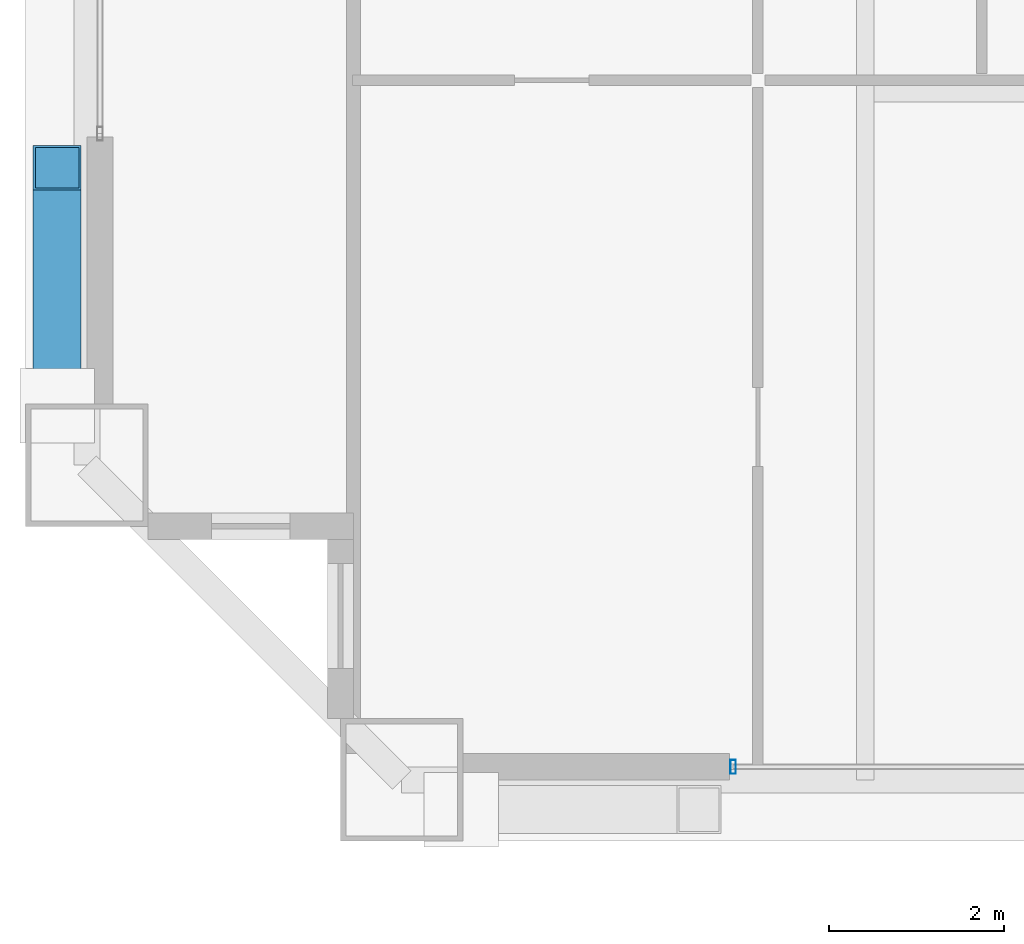
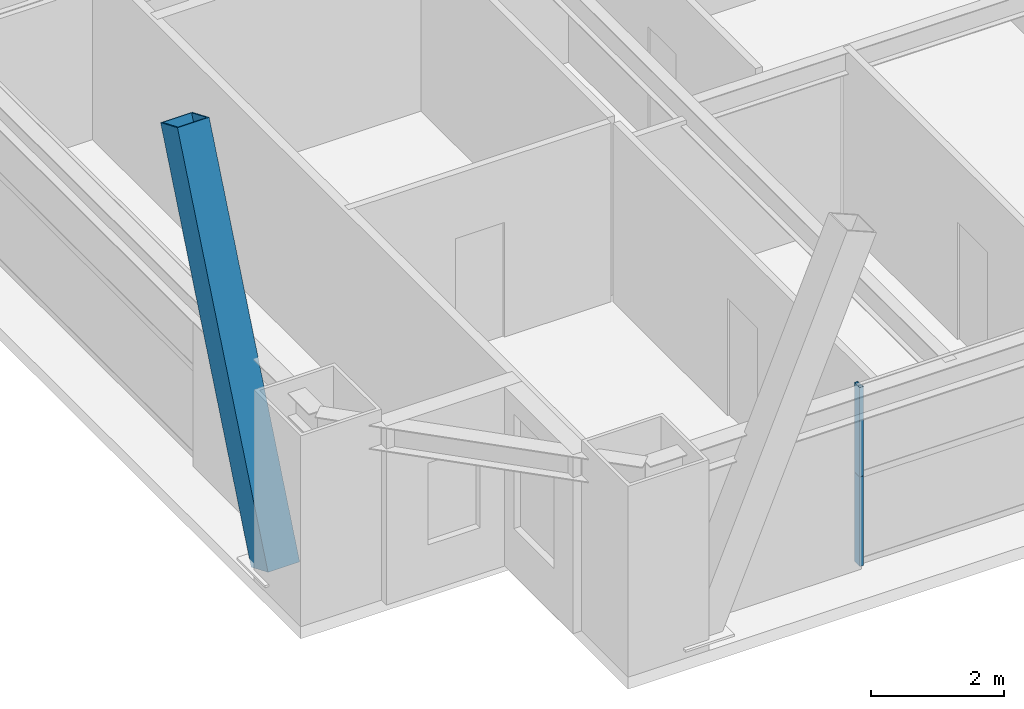
# One storey, part 4 of 45: 3 members, 1 element without a shape of its own.
"""IFC4 building model written with IfcOpenShell, lengths in metres."""

import ifcopenshell
import ifcopenshell.guid

model = None  # the IFC model being written
_history = None  # IfcOwnerHistory: only IFC2X3 demands one
_inside = {}  # id of a spatial element -> (the spatial element, [elements in it])
_under = {}  # id of a project, library or spatial element -> (it, [spatial elements below it])
_declared = {}  # id of a project -> (the project, [libraries it declares])
_typed = {}  # id of a type object -> (the type object, [elements of that type])
_made_of = {}  # id of a material, layer set ... -> (it, [elements and type objects made of it])


def new_model(schema):
    """Start an empty IFC model of exactly this schema.

    Asked for "IFC4X3", IfcOpenShell would pick the latest addendum, in which some entities
    have other attributes; the version numbers below select the first issue.
    IFC2X3 requires an IfcOwnerHistory on every rooted entity: one is made here for all.
    """
    global model, _history
    if schema == "IFC4X3":
        model = ifcopenshell.file(schema_version=(4, 3, 0, 0))
    else:
        model = ifcopenshell.file(schema=schema)
    _inside.clear()
    _under.clear()
    _declared.clear()
    _typed.clear()
    _made_of.clear()
    _history = None
    if model.schema == "IFC2X3":
        org = make("IfcOrganization", Name="unknown")
        user = make(
            "IfcPersonAndOrganization",
            ThePerson=make("IfcPerson", FamilyName="unknown"),
            TheOrganization=org,
        )
        app = make(
            "IfcApplication",
            ApplicationDeveloper=org,
            Version="unknown",
            ApplicationFullName="unknown",
            ApplicationIdentifier="unknown",
        )
        _history = make(
            "IfcOwnerHistory",
            OwningUser=user,
            OwningApplication=app,
            ChangeAction="ADDED",
            CreationDate=0,
        )
    return model


def make(cls, **values):
    """One entity of the class cls with the attributes given. An attribute that is None is left unset."""
    return model.create_entity(
        cls, **{name: value for name, value in values.items() if value is not None}
    )


def rooted(cls, **values):
    """An entity with a GlobalId (a new one), such as an element, a storey or a relation."""
    return make(cls, GlobalId=ifcopenshell.guid.new(), OwnerHistory=_history, **values)


def si_unit(unit_type, name, prefix=None):
    """IfcSIUnit, for example si_unit("LENGTHUNIT", "METRE", prefix="MILLI")."""
    return make("IfcSIUnit", UnitType=unit_type, Prefix=prefix, Name=name)


def assignment(units):
    """IfcUnitAssignment: the units of a project."""
    return None if units is None else make("IfcUnitAssignment", Units=units)


def point(xyz):
    """IfcCartesianPoint."""
    return None if xyz is None else make("IfcCartesianPoint", Coordinates=xyz)


def direction(xyz):
    """IfcDirection."""
    return None if xyz is None else make("IfcDirection", DirectionRatios=xyz)


def frame(location, z_axis=None, x_axis=None):
    """IfcAxis2Placement3D, a coordinate frame: its origin and axes. An axis left out is left unset."""
    return make(
        "IfcAxis2Placement3D",
        Location=point(location),
        Axis=direction(z_axis),
        RefDirection=direction(x_axis),
    )


def frame_2d(location, x_axis=None):
    """IfcAxis2Placement2D, a coordinate frame in the plane: its origin and x axis."""
    return make(
        "IfcAxis2Placement2D", Location=point(location), RefDirection=direction(x_axis)
    )


def origin():
    """The frame at (0, 0, 0) with its axes left unset."""
    return frame((0.0, 0.0, 0.0))


def origin_2d():
    """The frame at (0, 0) in the plane with its x axis left unset."""
    return frame_2d((0.0, 0.0))


def place(relative_to, where):
    """IfcLocalPlacement: puts the frame where relative to a parent placement (None: the world)."""
    return make(
        "IfcLocalPlacement", PlacementRelTo=relative_to, RelativePlacement=where
    )


def context(
    kind, dimensions, precision=None, world=None, true_north=None, identifier=None
):
    """IfcGeometricRepresentationContext, for example the 3D "Model" context."""
    return make(
        "IfcGeometricRepresentationContext",
        ContextIdentifier=identifier,
        ContextType=kind,
        CoordinateSpaceDimension=dimensions,
        Precision=precision,
        WorldCoordinateSystem=world,
        TrueNorth=true_north,
    )


def subcontext(parent, identifier, kind, view, scale=None):
    """IfcGeometricRepresentationSubContext, for example "Body" below "Model"."""
    return make(
        "IfcGeometricRepresentationSubContext",
        ContextIdentifier=identifier,
        ContextType=kind,
        ParentContext=parent,
        TargetScale=scale,
        TargetView=view,
    )


def project(units=None, contexts=None):
    """IfcProject with its units and contexts."""
    return rooted(
        "IfcProject",
        Name="project",
        RepresentationContexts=contexts,
        UnitsInContext=assignment(units),
    )


def spatial(cls, under=None, at=None, **own):
    """A site, building, storey or space (cls), placed at a placement, below another one or the project."""
    s = rooted(cls, ObjectPlacement=at, **own)
    if under is not None:
        _under.setdefault(under.id(), (under, []))[1].append(s)
    return s


def profile(cls, at=None, kind="AREA", **sizes):
    """A parametric profile (cls). Its sizes go by their IFC names, for example OverallWidth=200.0."""
    return make(cls, ProfileType=kind, Position=at, **sizes)


def hollow_rectangle(**sizes):
    """IfcRectangleHollowProfileDef."""
    return profile("IfcRectangleHollowProfileDef", **sizes)


def extrude(swept, where, along, depth):
    """IfcExtrudedAreaSolid: the profile swept, set in the frame where, extruded along a direction by depth."""
    return make(
        "IfcExtrudedAreaSolid",
        SweptArea=swept,
        Position=where,
        ExtrudedDirection=direction(along),
        Depth=depth,
    )


def shape(context_of_items, identifier, shape_type, items):
    """IfcShapeRepresentation: the items that make up one representation, for example the "Body"."""
    return make(
        "IfcShapeRepresentation",
        ContextOfItems=context_of_items,
        RepresentationIdentifier=identifier,
        RepresentationType=shape_type,
        Items=items,
    )


def source(mapping_origin, context_of_items, identifier, shape_type, items):
    """IfcRepresentationMap: a shape defined once, which mapped items show again and again."""
    return make(
        "IfcRepresentationMap",
        MappingOrigin=mapping_origin,
        MappedRepresentation=shape(context_of_items, identifier, shape_type, items),
    )


def transform(
    local_origin,
    x_axis=None,
    y_axis=None,
    z_axis=None,
    scale=None,
    scale2=None,
    scale3=None,
    uniform=True,
):
    """IfcCartesianTransformationOperator3D, or its non-uniform kind. x_axis, y_axis, z_axis: its Axis1, 2, 3."""
    if uniform:
        return make(
            "IfcCartesianTransformationOperator3D",
            Axis1=direction(x_axis),
            Axis2=direction(y_axis),
            LocalOrigin=point(local_origin),
            Scale=scale,
            Axis3=direction(z_axis),
        )
    return make(
        "IfcCartesianTransformationOperator3DnonUniform",
        Axis1=direction(x_axis),
        Axis2=direction(y_axis),
        LocalOrigin=point(local_origin),
        Scale=scale,
        Axis3=direction(z_axis),
        Scale2=scale2,
        Scale3=scale3,
    )


def mapped(mapping_source, mapping_target):
    """IfcMappedItem: shows the shape of a source again, moved by a transform."""
    return make(
        "IfcMappedItem", MappingSource=mapping_source, MappingTarget=mapping_target
    )


def material(Name=None, Category=None):
    """IfcMaterial."""
    return make("IfcMaterial", Name=Name, Category=Category)


def layer(
    of_material, thickness, ventilated=None, Name=None, Category=None, Priority=None
):
    """IfcMaterialLayer: one layer of a wall or slab, of a material (None: an air gap)."""
    return make(
        "IfcMaterialLayer",
        Material=of_material,
        LayerThickness=thickness,
        IsVentilated=ventilated,
        Name=Name,
        Category=Category,
        Priority=Priority,
    )


def layer_set(layers, Name=None):
    """IfcMaterialLayerSet."""
    return make("IfcMaterialLayerSet", MaterialLayers=layers, LayerSetName=Name)


def material_profile(
    of_material, cross_section, Name=None, Category=None, Priority=None
):
    """IfcMaterialProfile: a cross section and its material."""
    return make(
        "IfcMaterialProfile",
        Name=Name,
        Material=of_material,
        Profile=cross_section,
        Priority=Priority,
        Category=Category,
    )


def profile_set(profiles, Name=None, composite=None):
    """IfcMaterialProfileSet."""
    return make(
        "IfcMaterialProfileSet",
        Name=Name,
        MaterialProfiles=profiles,
        CompositeProfile=composite,
    )


def made_of(thing, what):
    """Note that an element or type object is made of a material, layer set ...; save() writes the relation."""
    if what is not None:
        _made_of.setdefault(what.id(), (what, []))[1].append(thing)
    return thing


def type_object(cls, material=None, **own):
    """A type object (cls), such as IfcWallType, which elements share."""
    return made_of(rooted(cls, **own), material)


def element(
    cls,
    number,
    at=None,
    inside=None,
    cuts=None,
    type_object=None,
    material=None,
    context=None,
    identifier="Body",
    shape_type=None,
    held_by="IfcProductDefinitionShape",
    body=None,
    shapes=None,
    **own,
):
    """One element of the class cls, such as IfcWall. Its Tag is "e" and its number.

    at: its placement. inside: the storey or other place that contains it. cuts: it is an
    opening in that element (IfcRelVoidsElement). A single representation is given by context,
    identifier, shape_type and body (its items); several are given by shapes. held_by: the class
    of the entity that holds the representations. save() writes the other relations.
    """
    e = rooted(cls, Tag="e%d" % number, ObjectPlacement=at, **own)
    if body is not None:
        shapes = [shape(context, identifier, shape_type, body)]
    if shapes is not None:
        e.Representation = make(held_by, Representations=shapes)
    if inside is not None:
        _inside.setdefault(inside.id(), (inside, []))[1].append(e)
    if cuts is not None:
        rooted(
            "IfcRelVoidsElement", RelatingBuildingElement=cuts, RelatedOpeningElement=e
        )
    if type_object is not None:
        _typed.setdefault(type_object.id(), (type_object, []))[1].append(e)
    return made_of(e, material)


def aggregate(whole, parts):
    """IfcRelAggregates: a whole, such as a stair, and the parts it consists of."""
    return rooted("IfcRelAggregates", RelatingObject=whole, RelatedObjects=parts)


def save(model, path):
    """Write the relations noted so far, then the file.

    IfcRelAggregates (storeys below a building ...), IfcRelContainedInSpatialStructure (elements
    in a storey), IfcRelDefinesByType, IfcRelAssociatesMaterial and IfcRelDeclares: one each for
    every whole, place, type object, material and project.
    """
    for whole, parts in _under.values():
        aggregate(whole, parts)
    for where, things in _inside.values():
        rooted(
            "IfcRelContainedInSpatialStructure",
            RelatedElements=things,
            RelatingStructure=where,
        )
    for kind, things in _typed.values():
        rooted("IfcRelDefinesByType", RelatedObjects=things, RelatingType=kind)
    for what, things in _made_of.values():
        rooted("IfcRelAssociatesMaterial", RelatedObjects=things, RelatingMaterial=what)
    for by, libraries in _declared.values():
        rooted("IfcRelDeclares", RelatingContext=by, RelatedDefinitions=libraries)
    model.write(path)


model = new_model("IFC4")

# Units and contexts
model_context = context("Model", 3, precision=1e-05, world=origin(), true_north=direction((0.0, 1.0)))
body_context = subcontext(model_context, "Body", "Model", "MODEL_VIEW")
ifc_project = project(units=[si_unit("LENGTHUNIT", "METRE"), si_unit("AREAUNIT", "SQUARE_METRE"), si_unit("VOLUMEUNIT", "CUBIC_METRE"), si_unit("PLANEANGLEUNIT", "RADIAN"), si_unit("MASSUNIT", "GRAM", prefix="KILO"), si_unit("THERMODYNAMICTEMPERATUREUNIT", "KELVIN"), si_unit("POWERUNIT", "WATT")], contexts=[model_context])

# Site, building, storey
site_placement = place(None, origin())
site = spatial("IfcSite", under=ifc_project, at=site_placement, CompositionType="ELEMENT")
building_placement = place(site_placement, origin())
building = spatial("IfcBuilding", under=site, at=building_placement, Name="Yuzanri Waterfront Tower", CompositionType="ELEMENT")
storey_placement = place(building_placement, frame((0.0, 0.0, 191.5)))
storey = spatial("IfcBuildingStorey", under=building, at=storey_placement, Name="L50", CompositionType="ELEMENT", Elevation=191.5)

# Member
ifc_material_1 = material(Name="Steel Q390GJC", Category="steel")
ifc_material_profile_1 = material_profile(ifc_material_1, hollow_rectangle(XDim=0.550048828125, YDim=0.550048828125, WallThickness=0.02490234375, at=origin_2d()), Name="RHS 550x550x25")
ifc_profile_set_1 = profile_set([ifc_material_profile_1], Name="Steel Q390GJC")
member_type_1 = type_object("IfcMemberType", Name="Mega Brace Mid Q390GJC RHS 550x550x25", PredefinedType="BRACE", material=ifc_profile_set_1)
shared_shape_1 = source(origin(), body_context, "Body", "SweptSolid", [
    extrude(hollow_rectangle(XDim=0.550048828125, YDim=0.550048828125, WallThickness=0.02490234375, at=origin_2d()), origin(), (0.0, 0.0, 1.0), 7.046142578125),
])
member_1_placement = place(storey_placement, frame((14.56005859375, 7.97998046875, 0.179931640625), z_axis=(0.0, 0.386022211732, 0.922489486146), x_axis=(-1.0, 0.0, 0.0)))
element("IfcMember", 1, at=member_1_placement, inside=storey, type_object=member_type_1, Name="L50-L51 Perimeter Mega-Brace W-L", PredefinedType="BRACE", context=body_context, shape_type="MappedRepresentation", body=[
    mapped(shared_shape_1, transform((0.0, 0.0, 0.0), scale=1.0)),
])

# Curtain wall, members
ifc_material_2 = material(Name="Anodized Architectural Bronze", Category="metal")
ifc_layer = layer(ifc_material_2, 0.159912109375)
ifc_layer_set = layer_set([ifc_layer], Name="Anodized Architectural Bronze")
curtain_wall_type = type_object("IfcCurtainWallType", Name="Anodized Bronze Mid-Rise Residential Acoustic Unitized Curtain Wall 7200", PredefinedType="NOTDEFINED", material=ifc_layer_set)
curtain_wall_placement = place(storey_placement, origin())
curtain_wall = element("IfcCurtainWall", 2, at=curtain_wall_placement, inside=storey, type_object=curtain_wall_type, Name="L50 Curtain Wall CW-L50-SL", PredefinedType="NOTDEFINED")
ifc_material_3 = material(Name="Anodized Architectural Bronze", Category="metal")
ifc_material_profile_2 = material_profile(ifc_material_3, hollow_rectangle(XDim=0.06494140625, YDim=0.159912109375, WallThickness=0.00341796875, at=origin_2d()), Name="CWM 65x160")
ifc_profile_set_2 = profile_set([ifc_material_profile_2], Name="Anodized Architectural Bronze")
member_type_2 = type_object("IfcMemberType", Name="Anodized Bronze Upper-Zone Curtain-Wall Mullion 65x160", PredefinedType="MULLION", material=ifc_profile_set_2)
shared_shape_2 = source(origin(), body_context, "Body", "SweptSolid", [
    extrude(hollow_rectangle(XDim=0.06494140625, YDim=0.159912109375, WallThickness=0.00341796875, at=origin_2d()), origin(), (0.0, 0.0, 1.0), 1.637939453125),
])
member_2_placement = place(storey_placement, frame((22.2900390625, 3.85009765625, 0.0), z_axis=(0.0, 0.0, 1.0), x_axis=(1.0, 0.0, 0.0)))
member_2 = element("IfcMember", 3, at=member_2_placement, type_object=member_type_2, Name="CW-L50-SL Lower Mullion 00", PredefinedType="MULLION", context=body_context, shape_type="MappedRepresentation", body=[
    mapped(shared_shape_2, transform((0.0, 0.0, 0.0), scale=1.0)),
])
member_3_placement = place(storey_placement, frame((22.2900390625, 3.85009765625, 1.64208984375), z_axis=(0.0, 0.0, 1.0), x_axis=(1.0, 0.0, 0.0)))
member_3 = element("IfcMember", 4, at=member_3_placement, type_object=member_type_2, Name="CW-L50-SL Upper Mullion 00", PredefinedType="MULLION", context=body_context, shape_type="MappedRepresentation", body=[
    mapped(shared_shape_2, transform((0.0, 0.0, 0.0), scale=1.0)),
])
aggregate(curtain_wall, [member_2, member_3])

save(model, "model.ifc")
